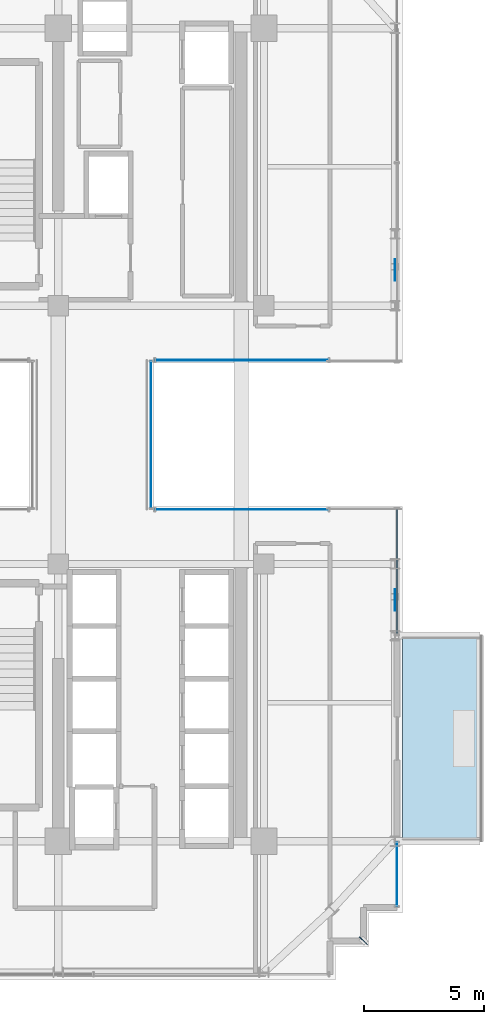
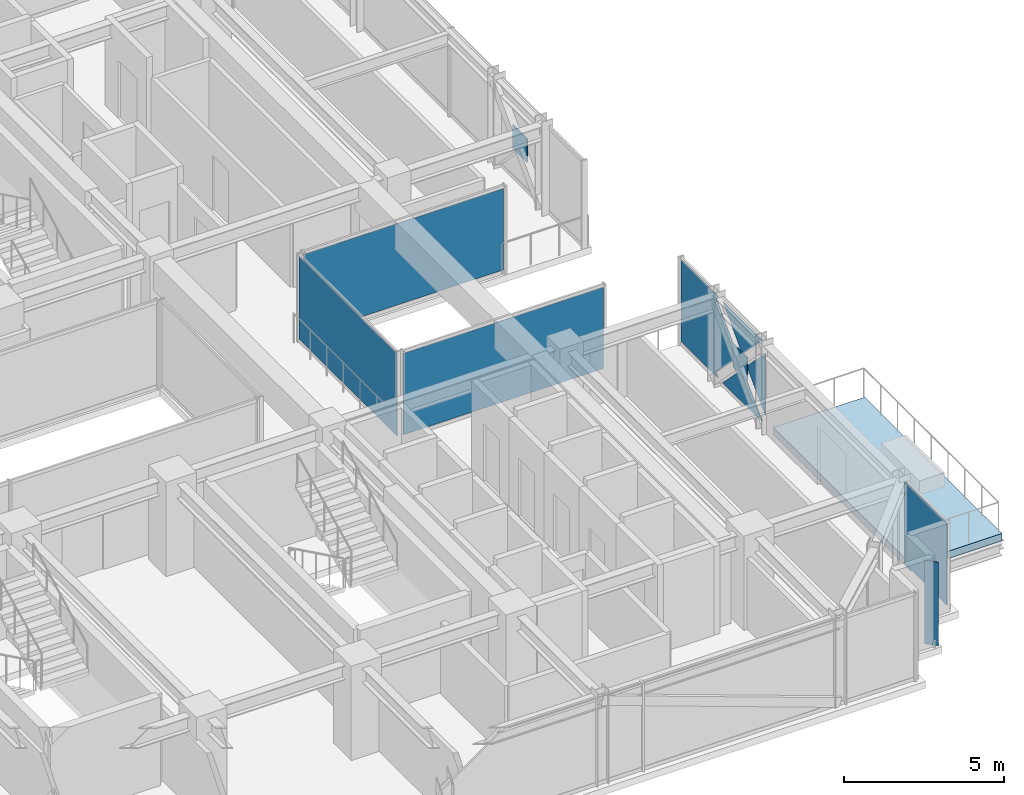
# One storey, part 30 of 41: 8 plates, 1 slab, 5 elements without a shape of their own.
"""IFC4 building model written with IfcOpenShell, lengths in metres."""

from ifc_helpers import new_model, si_unit, direction, frame, origin, origin_2d, place, context, subcontext, project, spatial, polyline, rectangle, outline, extrude, source, transform, mapped, material, layer, layer_set, type_object, element, aggregate, save


model = new_model("IFC4")

# Units and contexts
model_context = context("Model", 3, precision=1e-05, world=origin(), true_north=direction((0.0, 1.0)))
body_context = subcontext(model_context, "Body", "Model", "MODEL_VIEW")
ifc_project = project(units=[si_unit("LENGTHUNIT", "METRE"), si_unit("AREAUNIT", "SQUARE_METRE"), si_unit("VOLUMEUNIT", "CUBIC_METRE"), si_unit("PLANEANGLEUNIT", "RADIAN"), si_unit("MASSUNIT", "GRAM", prefix="KILO")], contexts=[model_context])

# Site, building, storey
site_placement = place(None, origin())
site = spatial("IfcSite", under=ifc_project, at=site_placement, CompositionType="ELEMENT")
building_placement = place(site_placement, origin())
building = spatial("IfcBuilding", under=site, at=building_placement, Name="Nahalor Promenade Grand Hotel", CompositionType="ELEMENT")
storey_placement = place(building_placement, frame((0.0, 0.0, 159.949951171875)))
storey = spatial("IfcBuildingStorey", under=building, at=storey_placement, Name="L40", CompositionType="ELEMENT", Elevation=159.949951171875)

# Curtain wall, plate
ifc_material_1 = material(Name="Anodised Bronze Aluminium EN AW-6063 T6", Category="aluminium")
curtain_wall_type_1 = type_object("IfcCurtainWallType", Name="CW3 Elliptical-Void Collar Unitised Curtain Wall", PredefinedType="USERDEFINED", material=ifc_material_1)
curtain_wall_1_placement = place(storey_placement, origin())
curtain_wall_1 = element("IfcCurtainWall", 1, at=curtain_wall_1_placement, inside=storey, type_object=curtain_wall_type_1, Name="L40 Curtain Wall CW-L40-E-3", ObjectType="UNITISED_CURTAIN_WALL", PredefinedType="USERDEFINED")
ifc_material_2 = material(Name="Low-E Laminated Solar Glass", Category="glass")
ifc_layer_1 = layer(ifc_material_2, 0.030029296875)
ifc_layer_set_1 = layer_set([ifc_layer_1], Name="Low-E Laminated Solar Glass")
plate_type_1 = type_object("IfcPlateType", Name="CWP3 High-Wind Laminated Bronze IGU 30mm", PredefinedType="CURTAIN_PANEL", material=ifc_layer_set_1)
plate_1_placement = place(storey_placement, frame((22.56005859375, -5.699462890625, 0.14013671875), z_axis=(0.0, 0.0, 1.0), x_axis=(0.0, 1.0, 0.0)))
plate_1 = element("IfcPlate", 2, at=plate_1_placement, type_object=plate_type_1, Name="CW-L40-E-3 Glazing Panel 0-0", PredefinedType="CURTAIN_PANEL", context=body_context, shape_type="SweptSolid", body=[
    extrude(outline(polyline([(-1.479248046875, 1.554931640625), (-2.630615234375, 2.74072265625), (-2.630615234375, 0.369140625), (-1.479248046875, 1.554931640625)])), frame((0.0, 0.01513671875, 0.0), z_axis=(0.0, -1.0, 0.0), x_axis=(1.0, 0.0, 0.0)), (0.0, 0.0, 1.0), 0.030029296875),
    extrude(outline(polyline([(-1.200439453125, 1.267822265625), (-2.431396484375, 0.0), (0.030517578125, 0.0), (-1.200439453125, 1.267822265625)])), frame((0.0, 0.01513671875, 0.0), z_axis=(0.0, -1.0, 0.0), x_axis=(1.0, 0.0, 0.0)), (0.0, 0.0, 1.0), 0.030029296875),
    extrude(outline(polyline([(-1.200439453125, 1.842041015625), (0.030517578125, 3.110107421875), (-2.431396484375, 3.110107421875), (-1.200439453125, 1.842041015625)])), frame((0.0, 0.01513671875, 0.0), z_axis=(0.0, -1.0, 0.0), x_axis=(1.0, 0.0, 0.0)), (0.0, 0.0, 1.0), 0.030029296875),
    extrude(outline(polyline([(2.630615234375, 0.0), (2.630615234375, 3.110107421875), (0.3251953125, 3.110107421875), (0.46044921875, 2.978515625), (-0.921630859375, 1.554931640625), (0.46044921875, 0.13134765625), (0.3251953125, 0.0), (2.630615234375, 0.0)])), frame((0.0, 0.01513671875, 0.0), z_axis=(0.0, -1.0, 0.0), x_axis=(1.0, 0.0, 0.0)), (0.0, 0.0, 1.0), 0.030029296875),
])
aggregate(curtain_wall_1, [plate_1])

# Slab
ifc_material_3 = material(Name="Concrete B-50 (C40/50)", Category="concrete")
ifc_layer_2 = layer(ifc_material_3, 0.280029296875)
ifc_layer_set_2 = layer_set([ifc_layer_2], Name="Concrete B-50 (C40/50)")
slab_type = type_object("IfcSlabType", Name="Slab-Balcony-280", PredefinedType="FLOOR", material=ifc_layer_set_2)
slab_placement = place(storey_placement, frame((0.0, 0.0, -0.280029296875)))
element("IfcSlab", 3, at=slab_placement, inside=storey, type_object=slab_type, Name="L40 Cantilevered Planted Balcony 2", PredefinedType="FLOOR", context=body_context, shape_type="SweptSolid", body=[
    extrude(outline(polyline([(22.800048828125, -17.0), (26.110107421875, -17.0), (26.110107421875, -8.39990234375), (22.800048828125, -8.39990234375), (22.800048828125, -17.0)])), origin(), (0.0, 0.0, 1.0), 0.280029296875),
])

# Plates
ifc_material_4 = material(Name="Steel S355J2", Category="steel")
ifc_layer_3 = layer(ifc_material_4, 0.035888671875)
ifc_layer_set_3 = layer_set([ifc_layer_3], Name="Steel S355J2")
plate_type_2 = type_object("IfcPlateType", Name="Plate-CrossGusset-36", PredefinedType="USERDEFINED", material=ifc_layer_set_3)
shared_shape_1 = source(origin(), body_context, "Body", "SweptSolid", [
    extrude(rectangle(XDim=0.89990234375, YDim=0.035888671875, at=origin_2d()), origin(), (0.0, 0.0, 1.0), 0.89990234375),
])
for number, where, z_axis, x_axis, name in (
    (4, (22.47998046875, -6.89990234375, 1.2451171875), (0.0, 0.0, 1.0), (0.0, 1.0, 0.0), "PL-L40-VXX-E0"),
    (5, (22.47998046875, 6.89990234375, 1.2451171875), (0.0, 0.0, 1.0), (0.0, 1.0, 0.0), "PL-L40-VXX-E1"),
):
    element("IfcPlate", number, at=place(storey_placement, frame(where, z_axis=z_axis, x_axis=x_axis)), inside=storey, type_object=plate_type_2, Name=name, ObjectType="GUSSET_PLATE", PredefinedType="USERDEFINED", context=body_context, shape_type="MappedRepresentation", body=[
        mapped(shared_shape_1, transform((0.0, 0.0, 0.0), scale=1.0)),
    ])
ifc_layer_4 = layer(ifc_material_1, 0.02001953125)
ifc_layer_set_4 = layer_set([ifc_layer_4], Name="Anodised Bronze Aluminium EN AW-6063 T6")
plate_type_3 = type_object("IfcPlateType", Name="Plate-CornerFin-20", PredefinedType="SHEET", material=ifc_layer_set_4)
shared_shape_2 = source(origin(), body_context, "Body", "SweptSolid", [
    extrude(rectangle(XDim=0.449951171875, YDim=0.02001953125, at=origin_2d()), origin(), (0.0, 0.0, 1.0), 3.199951171875),
])
plate_2_placement = place(storey_placement, frame((21.159912109375, -21.159912109375, 0.0), z_axis=(0.0, 0.0, 1.0), x_axis=(-0.707106781187, 0.707106781187, 0.0)))
element("IfcPlate", 6, at=plate_2_placement, inside=storey, type_object=plate_type_3, Name="FIN-L40-SE", PredefinedType="SHEET", context=body_context, shape_type="MappedRepresentation", body=[
    mapped(shared_shape_2, transform((0.0, 0.0, 0.0), scale=1.0)),
])

# Curtain wall, plate
curtain_wall_2_placement = place(storey_placement, origin())
curtain_wall_2 = element("IfcCurtainWall", 7, at=curtain_wall_2_placement, inside=storey, type_object=curtain_wall_type_1, Name="L40 Curtain Wall CW-L40-E-1", ObjectType="UNITISED_CURTAIN_WALL", PredefinedType="USERDEFINED")
shared_shape_3 = source(origin(), body_context, "Body", "SweptSolid", [
    extrude(rectangle(XDim=2.6201171875, YDim=0.030029296875, at=origin_2d()), origin(), (0.0, 0.0, 1.0), 3.110107421875),
])
plate_3_placement = place(storey_placement, frame((22.56005859375, -18.3798828125, 0.14013671875), z_axis=(0.0, 0.0, 1.0), x_axis=(0.0, 1.0, 0.0)))
plate_3 = element("IfcPlate", 8, at=plate_3_placement, type_object=plate_type_1, Name="CW-L40-E-1 Glazing Panel 0-0", PredefinedType="CURTAIN_PANEL", context=body_context, shape_type="MappedRepresentation", body=[
    mapped(shared_shape_3, transform((0.0, 0.0, 0.0), scale=1.0)),
])
aggregate(curtain_wall_2, [plate_3])

curtain_wall_3_placement = place(storey_placement, origin())
curtain_wall_3 = element("IfcCurtainWall", 9, at=curtain_wall_3_placement, inside=storey, type_object=curtain_wall_type_1, Name="L40 Curtain Wall CW-L40-VOID-ES1", ObjectType="UNITISED_CURTAIN_WALL", PredefinedType="USERDEFINED")
shared_shape_4 = source(origin(), body_context, "Body", "SweptSolid", [
    extrude(rectangle(XDim=7.219970703125, YDim=0.030029296875, at=origin_2d()), origin(), (0.0, 0.0, 1.0), 3.110107421875),
])
plate_4_placement = place(storey_placement, frame((16.080078125, -3.118896484375, 0.14013671875), z_axis=(0.0, 0.0, 1.0), x_axis=(1.0, 0.0, 0.0)))
plate_4 = element("IfcPlate", 10, at=plate_4_placement, type_object=plate_type_1, Name="CW-L40-VOID-ES1 Glazing Panel 0-0", PredefinedType="CURTAIN_PANEL", context=body_context, shape_type="MappedRepresentation", body=[
    mapped(shared_shape_4, transform((0.0, 0.0, 0.0), scale=1.0)),
])
aggregate(curtain_wall_3, [plate_4])

curtain_wall_4_placement = place(storey_placement, origin())
curtain_wall_4 = element("IfcCurtainWall", 11, at=curtain_wall_4_placement, inside=storey, type_object=curtain_wall_type_1, Name="L40 Curtain Wall CW-L40-VOID-EN1", ObjectType="UNITISED_CURTAIN_WALL", PredefinedType="USERDEFINED")
plate_5_placement = place(storey_placement, frame((16.080078125, 3.118896484375, 0.14013671875), z_axis=(0.0, 0.0, 1.0), x_axis=(1.0, 0.0, 0.0)))
plate_5 = element("IfcPlate", 12, at=plate_5_placement, type_object=plate_type_1, Name="CW-L40-VOID-EN1 Glazing Panel 0-0", PredefinedType="CURTAIN_PANEL", context=body_context, shape_type="MappedRepresentation", body=[
    mapped(shared_shape_4, transform((0.0, 0.0, 0.0), scale=1.0)),
])
aggregate(curtain_wall_4, [plate_5])

curtain_wall_type_2 = type_object("IfcCurtainWallType", Name="CW4 Low-Iron Sky-Gallery Bridge Curtain Wall", PredefinedType="USERDEFINED", material=ifc_material_1)
curtain_wall_5_placement = place(storey_placement, origin())
curtain_wall_5 = element("IfcCurtainWall", 13, at=curtain_wall_5_placement, inside=storey, type_object=curtain_wall_type_2, Name="L40 Curtain Wall CW-L40-BRG-E", ObjectType="UNITISED_CURTAIN_WALL", PredefinedType="USERDEFINED")
ifc_layer_5 = layer(ifc_material_2, 0.02587890625)
ifc_layer_set_5 = layer_set([ifc_layer_5], Name="Low-E Laminated Solar Glass")
plate_type_4 = type_object("IfcPlateType", Name="CWP4 Ultra-Clear Low-Iron Bridge IGU 26mm", PredefinedType="CURTAIN_PANEL", material=ifc_layer_set_5)
shared_shape_5 = source(origin(), body_context, "Body", "SweptSolid", [
    extrude(rectangle(XDim=6.117919921875, YDim=0.02587890625, at=origin_2d()), origin(), (0.0, 0.0, 1.0), 3.14990234375),
])
plate_6_placement = place(storey_placement, frame((12.280029296875, 0.0, 0.1201171875), z_axis=(0.0, 0.0, 1.0), x_axis=(0.0, 1.0, 0.0)))
plate_6 = element("IfcPlate", 14, at=plate_6_placement, type_object=plate_type_4, Name="CW-L40-BRG-E Glazing Panel 0-0", PredefinedType="CURTAIN_PANEL", context=body_context, shape_type="MappedRepresentation", body=[
    mapped(shared_shape_5, transform((0.0, 0.0, 0.0), scale=1.0)),
])
aggregate(curtain_wall_5, [plate_6])

save(model, "model.ifc")
